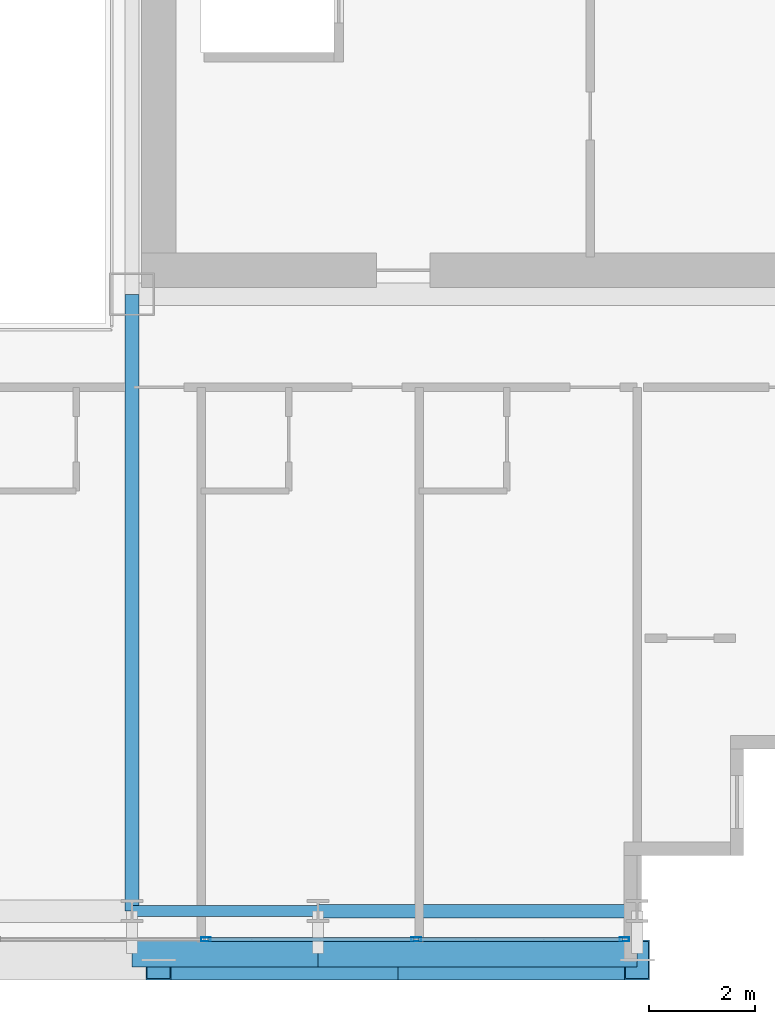
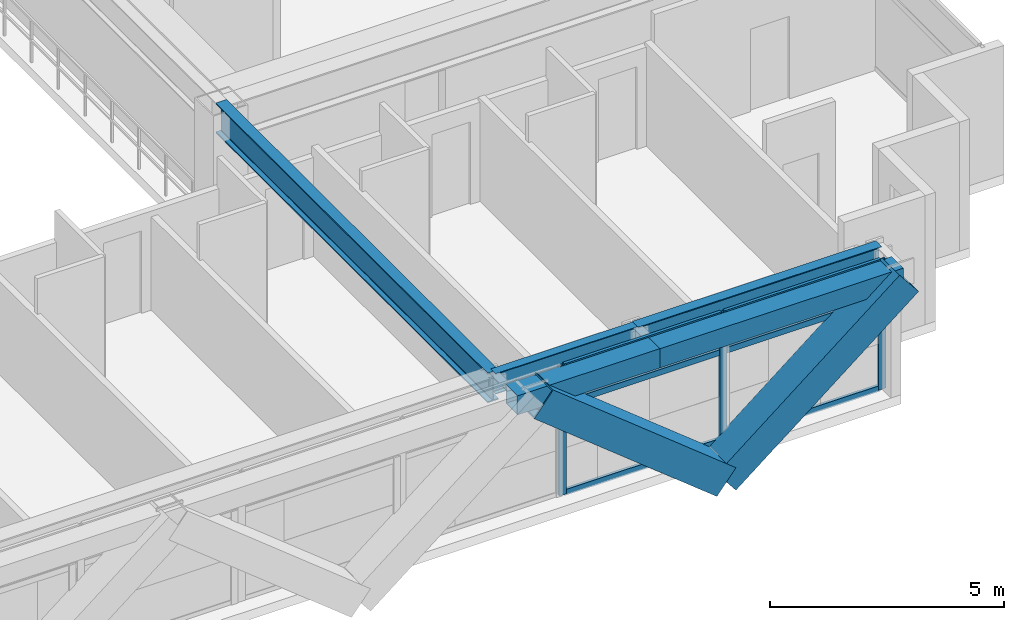
# One storey, part 10 of 36: 11 members, 5 beams, 1 element without a shape of its own.
"""IFC4 building model written with IfcOpenShell, lengths in metres."""

from ifc_helpers import new_model, si_unit, direction, frame, origin, origin_2d, place, context, subcontext, project, spatial, hollow_rectangle, i_section, extrude, source, transform, mapped, material, layer, layer_set, material_profile, profile_set, type_object, element, aggregate, save


model = new_model("IFC4")

# Units and contexts
model_context = context("Model", 3, precision=1e-05, world=origin(), true_north=direction((0.0, 1.0)))
body_context = subcontext(model_context, "Body", "Model", "MODEL_VIEW")
ifc_project = project(units=[si_unit("LENGTHUNIT", "METRE"), si_unit("AREAUNIT", "SQUARE_METRE"), si_unit("VOLUMEUNIT", "CUBIC_METRE"), si_unit("PLANEANGLEUNIT", "RADIAN"), si_unit("MASSUNIT", "GRAM", prefix="KILO")], contexts=[model_context])

# Site, building, storey
site_placement = place(None, origin())
site = spatial("IfcSite", under=ifc_project, at=site_placement, CompositionType="ELEMENT")
building_placement = place(site_placement, origin())
building = spatial("IfcBuilding", under=site, at=building_placement, Name="Ocotamira Hotel", CompositionType="ELEMENT")
storey_placement = place(building_placement, frame((0.0, 0.0, 136.800048828125)))
storey = spatial("IfcBuildingStorey", under=building, at=storey_placement, Name="L34", CompositionType="ELEMENT", Elevation=136.800048828125)

# Beams
ifc_material_1 = material(Name="Steel ASTM A992 Grade 50", Category="steel")
ifc_material_profile_1 = material_profile(ifc_material_1, i_section(OverallWidth=0.256103515625, OverallDepth=0.693115234375, WebThickness=0.014404296875, FlangeThickness=0.023681640625, FilletRadius=0.01611328125, at=origin_2d()), Name="W27X114")
ifc_profile_set_1 = profile_set([ifc_material_profile_1], Name="Steel ASTM A992 Grade 50")
beam_type_1 = type_object("IfcBeamType", Name="BM-PRIM-W27X114", PredefinedType="BEAM", material=ifc_profile_set_1)
shared_shape_1 = source(origin(), body_context, "Body", "SweptSolid", [
    extrude(i_section(OverallWidth=0.256103515625, OverallDepth=0.693115234375, WebThickness=0.014404296875, FlangeThickness=0.023681640625, FilletRadius=0.01611328125, at=origin_2d()), origin(), (0.0, 0.0, 1.0), 6.0),
])
beam_1_placement = place(storey_placement, frame((44.0, 2.949951171875, 3.013427734375), z_axis=(1.0, 0.0, 0.0), x_axis=(0.0, 1.0, 0.0)))
element("IfcBeam", 1, at=beam_1_placement, inside=storey, type_object=beam_type_1, Name="L34 Girder Y2.95 X44-50", PredefinedType="BEAM", context=body_context, shape_type="MappedRepresentation", body=[
    mapped(shared_shape_1, transform((0.0, 0.0, 0.0), scale=1.0)),
])
ifc_material_profile_2 = material_profile(ifc_material_1, i_section(OverallWidth=0.2099609375, OverallDepth=0.537109375, WebThickness=0.010986328125, FlangeThickness=0.017333984375, FilletRadius=0.012939453125, at=origin_2d()), Name="W21X68")
ifc_profile_set_2 = profile_set([ifc_material_profile_2], Name="Steel ASTM A992 Grade 50")
beam_type_2 = type_object("IfcBeamType", Name="BM-SEC-W21X68", PredefinedType="JOIST", material=ifc_profile_set_2)
shared_shape_2 = source(origin(), body_context, "Body", "SweptSolid", [
    extrude(i_section(OverallWidth=0.2099609375, OverallDepth=0.537109375, WebThickness=0.010986328125, FlangeThickness=0.017333984375, FilletRadius=0.012939453125, at=origin_2d()), origin(), (0.0, 0.0, 1.0), 3.5),
])
beam_2_placement = place(storey_placement, frame((40.5, 2.949951171875, 3.091552734375), z_axis=(1.0, 0.0, 0.0), x_axis=(0.0, 1.0, 0.0)))
element("IfcBeam", 2, at=beam_2_placement, inside=storey, type_object=beam_type_2, Name="L34 Girder Y2.95 X40.5-44", PredefinedType="JOIST", context=body_context, shape_type="MappedRepresentation", body=[
    mapped(shared_shape_2, transform((0.0, 0.0, 0.0), scale=1.0)),
])
ifc_material_profile_3 = material_profile(ifc_material_1, i_section(OverallWidth=0.26611328125, OverallDepth=0.779052734375, WebThickness=0.0166015625, FlangeThickness=0.030029296875, FilletRadius=0.01806640625, at=origin_2d()), Name="W30X148")
ifc_profile_set_3 = profile_set([ifc_material_profile_3], Name="Steel ASTM A992 Grade 50")
beam_type_3 = type_object("IfcBeamType", Name="BM-GIRD-W30X148", PredefinedType="BEAM", material=ifc_profile_set_3)
shared_shape_3 = source(origin(), body_context, "Body", "SweptSolid", [
    extrude(i_section(OverallWidth=0.26611328125, OverallDepth=0.779052734375, WebThickness=0.0166015625, FlangeThickness=0.030029296875, FilletRadius=0.01806640625, at=origin_2d()), origin(), (0.0, 0.0, 1.0), 11.60009765625),
])
beam_3_placement = place(storey_placement, frame((40.5, 2.949951171875, 2.970458984375), z_axis=(0.0, 1.0, 0.0), x_axis=(-1.0, 0.0, 0.0)))
element("IfcBeam", 3, at=beam_3_placement, inside=storey, type_object=beam_type_3, Name="L34 Beam X40.5 Y2.95-14.55", PredefinedType="BEAM", context=body_context, shape_type="MappedRepresentation", body=[
    mapped(shared_shape_3, transform((0.0, 0.0, 0.0), scale=1.0)),
])
ifc_material_2 = material(Name="Steel ASTM A500 Grade C", Category="steel")
ifc_material_profile_4 = material_profile(ifc_material_2, hollow_rectangle(XDim=0.5, YDim=0.5, WallThickness=0.02001953125, at=origin_2d()), Name="HSS500X500X20")
ifc_profile_set_4 = profile_set([ifc_material_profile_4], Name="Steel ASTM A500 Grade C")
beam_type_4 = type_object("IfcBeamType", Name="BM-SPAN-HSS500", PredefinedType="USERDEFINED", material=ifc_profile_set_4)
shared_shape_4 = source(origin(), body_context, "Body", "SweptSolid", [
    extrude(hollow_rectangle(XDim=0.5, YDim=0.5, WallThickness=0.02001953125, at=origin_2d()), origin(), (0.0, 0.0, 1.0), 6.0),
])
beam_4_placement = place(storey_placement, frame((44.0, 2.14990234375, 3.10986328125), z_axis=(1.0, 0.0, 0.0), x_axis=(0.0, 1.0, 0.0)))
element("IfcBeam", 4, at=beam_4_placement, inside=storey, type_object=beam_type_4, Name="L34 Edge Spandrel S X44-50", ObjectType="SPANDREL", PredefinedType="USERDEFINED", context=body_context, shape_type="MappedRepresentation", body=[
    mapped(shared_shape_4, transform((0.0, 0.0, 0.0), scale=1.0)),
])
shared_shape_5 = source(origin(), body_context, "Body", "SweptSolid", [
    extrude(hollow_rectangle(XDim=0.5, YDim=0.5, WallThickness=0.02001953125, at=origin_2d()), origin(), (0.0, 0.0, 1.0), 3.5),
])
beam_5_placement = place(storey_placement, frame((40.5, 2.14990234375, 3.10986328125), z_axis=(1.0, 0.0, 0.0), x_axis=(0.0, 1.0, 0.0)))
element("IfcBeam", 5, at=beam_5_placement, inside=storey, type_object=beam_type_4, Name="L34 Edge Spandrel S X40.5-44", ObjectType="SPANDREL", PredefinedType="USERDEFINED", context=body_context, shape_type="MappedRepresentation", body=[
    mapped(shared_shape_5, transform((0.0, 0.0, 0.0), scale=1.0)),
])

# Members
ifc_material_3 = material(Name="Pale-metal coated steel ASTM A913 Grade 65", Category="steel")
ifc_material_profile_5 = material_profile(ifc_material_3, hollow_rectangle(XDim=0.75, YDim=0.75, WallThickness=0.028076171875, at=origin_2d()), Name="BOX750X750X28")
ifc_profile_set_5 = profile_set([ifc_material_profile_5], Name="Pale-metal coated steel ASTM A913 Grade 65")
member_type_1 = type_object("IfcMemberType", Name="MEM-EXO-BOX750", PredefinedType="BRACE", material=ifc_profile_set_5)
shared_shape_6 = source(origin(), body_context, "Body", "SweptSolid", [
    extrude(hollow_rectangle(XDim=0.75, YDim=0.75, WallThickness=0.028076171875, at=origin_2d()), origin(), (0.0, 0.0, 1.0), 5.7626953125),
])
for number, where, z_axis, x_axis, name in (
    (6, (45.5, 2.030029296875, -0.489990234375), (-0.780881208953, 0.0, 0.624679547852), (0.0, -1.0, 0.0), "L34 Exoskeleton Diagrid S3.1"),
    (7, (45.5, 2.030029296875, -0.489990234375), (0.780881208953, 0.0, 0.624679547852), (0.0, 1.0, 0.0), "L34 Exoskeleton Diagrid S3.2"),
):
    element("IfcMember", number, at=place(storey_placement, frame(where, z_axis=z_axis, x_axis=x_axis)), inside=storey, type_object=member_type_1, Name=name, PredefinedType="BRACE", context=body_context, shape_type="MappedRepresentation", body=[
        mapped(shared_shape_6, transform((0.0, 0.0, 0.0), scale=1.0)),
    ])

# Curtain wall, members
ifc_material_4 = material(Name="Anodised pale-metal aluminium and solar glass", Category="aluminium")
ifc_layer = layer(ifc_material_4, 0.179931640625)
ifc_layer_set = layer_set([ifc_layer], Name="Anodised pale-metal aluminium and solar glass")
curtain_wall_type = type_object("IfcCurtainWallType", Name="CW-SYS3-Z2", PredefinedType="NOTDEFINED", material=ifc_layer_set)
curtain_wall_placement = place(storey_placement, origin())
curtain_wall = element("IfcCurtainWall", 8, at=curtain_wall_placement, inside=storey, type_object=curtain_wall_type, Name="L34 Curtain Wall CW-3 CW-L34-S1", PredefinedType="NOTDEFINED")
ifc_material_5 = material(Name="Anodised pale-metal aluminium 6063-T6", Category="aluminium")
ifc_material_profile_6 = material_profile(ifc_material_5, hollow_rectangle(XDim=0.074951171875, YDim=0.14990234375, WallThickness=0.006103515625, at=origin_2d()), Name="HSS150X75X6")
ifc_profile_set_6 = profile_set([ifc_material_profile_6], Name="Anodised pale-metal aluminium 6063-T6")
member_type_2 = type_object("IfcMemberType", Name="CWT-150X75", PredefinedType="USERDEFINED", material=ifc_profile_set_6)
shared_shape_7 = source(origin(), body_context, "Body", "SweptSolid", [
    extrude(hollow_rectangle(XDim=0.074951171875, YDim=0.14990234375, WallThickness=0.006103515625, at=origin_2d()), origin(), (0.0, 0.0, 1.0), 3.83544921875),
])
member_1_placement = place(storey_placement, frame((45.884521484375, 2.419921875, 0.037353515625), z_axis=(1.0, 0.0, 0.0), x_axis=(0.0, 1.0, 0.0)))
member_1 = element("IfcMember", 9, at=member_1_placement, type_object=member_type_2, Name="CW-3 transom 9.1", ObjectType="TRANSOM", PredefinedType="USERDEFINED", context=body_context, shape_type="MappedRepresentation", body=[
    mapped(shared_shape_7, transform((0.0, 0.0, 0.0), scale=1.0)),
])
member_2_placement = place(storey_placement, frame((45.884521484375, 2.419921875, 2.349853515625), z_axis=(1.0, 0.0, 0.0), x_axis=(0.0, 1.0, 0.0)))
member_2 = element("IfcMember", 10, at=member_2_placement, type_object=member_type_2, Name="CW-3 transom 9.2", ObjectType="TRANSOM", PredefinedType="USERDEFINED", context=body_context, shape_type="MappedRepresentation", body=[
    mapped(shared_shape_7, transform((0.0, 0.0, 0.0), scale=1.0)),
])
member_3_placement = place(storey_placement, frame((45.884521484375, 2.419921875, 3.322509765625), z_axis=(1.0, 0.0, 0.0), x_axis=(0.0, 1.0, 0.0)))
member_3 = element("IfcMember", 11, at=member_3_placement, type_object=member_type_2, Name="CW-3 transom 9.3", ObjectType="TRANSOM", PredefinedType="USERDEFINED", context=body_context, shape_type="MappedRepresentation", body=[
    mapped(shared_shape_7, transform((0.0, 0.0, 0.0), scale=1.0)),
])
shared_shape_8 = source(origin(), body_context, "Body", "SweptSolid", [
    extrude(hollow_rectangle(XDim=0.074951171875, YDim=0.14990234375, WallThickness=0.006103515625, at=origin_2d()), origin(), (0.0, 0.0, 1.0), 3.87548828125),
])
member_4_placement = place(storey_placement, frame((41.928955078125, 2.419921875, 0.037353515625), z_axis=(1.0, 0.0, 0.0), x_axis=(0.0, 1.0, 0.0)))
member_4 = element("IfcMember", 12, at=member_4_placement, type_object=member_type_2, Name="CW-3 transom 8.1", ObjectType="TRANSOM", PredefinedType="USERDEFINED", context=body_context, shape_type="MappedRepresentation", body=[
    mapped(shared_shape_8, transform((0.0, 0.0, 0.0), scale=1.0)),
])
member_5_placement = place(storey_placement, frame((41.928955078125, 2.419921875, 2.349853515625), z_axis=(1.0, 0.0, 0.0), x_axis=(0.0, 1.0, 0.0)))
member_5 = element("IfcMember", 13, at=member_5_placement, type_object=member_type_2, Name="CW-3 transom 8.2", ObjectType="TRANSOM", PredefinedType="USERDEFINED", context=body_context, shape_type="MappedRepresentation", body=[
    mapped(shared_shape_8, transform((0.0, 0.0, 0.0), scale=1.0)),
])
member_6_placement = place(storey_placement, frame((41.928955078125, 2.419921875, 3.322509765625), z_axis=(1.0, 0.0, 0.0), x_axis=(0.0, 1.0, 0.0)))
member_6 = element("IfcMember", 14, at=member_6_placement, type_object=member_type_2, Name="CW-3 transom 8.3", ObjectType="TRANSOM", PredefinedType="USERDEFINED", context=body_context, shape_type="MappedRepresentation", body=[
    mapped(shared_shape_8, transform((0.0, 0.0, 0.0), scale=1.0)),
])
ifc_material_profile_7 = material_profile(ifc_material_5, hollow_rectangle(XDim=0.080078125, YDim=0.179931640625, WallThickness=0.006103515625, at=origin_2d()), Name="HSS180X80X6")
ifc_profile_set_7 = profile_set([ifc_material_profile_7], Name="Anodised pale-metal aluminium 6063-T6")
member_type_3 = type_object("IfcMemberType", Name="CWM-180X75", PredefinedType="MULLION", material=ifc_profile_set_7)
shared_shape_9 = source(origin(), body_context, "Body", "SweptSolid", [
    extrude(hollow_rectangle(XDim=0.080078125, YDim=0.179931640625, WallThickness=0.006103515625, at=origin_2d()), origin(), (0.0, 0.0, 1.0), 3.35986328125),
])
member_7_placement = place(storey_placement, frame((41.888916015625, 2.419921875, 0.0), z_axis=(0.0, 0.0, 1.0), x_axis=(0.0, 1.0, 0.0)))
member_7 = element("IfcMember", 15, at=member_7_placement, type_object=member_type_3, Name="CW-3 mullion 8", PredefinedType="MULLION", context=body_context, shape_type="MappedRepresentation", body=[
    mapped(shared_shape_9, transform((0.0, 0.0, 0.0), scale=1.0)),
])
member_8_placement = place(storey_placement, frame((45.844482421875, 2.419921875, 0.0), z_axis=(0.0, 0.0, 1.0), x_axis=(0.0, 1.0, 0.0)))
member_8 = element("IfcMember", 16, at=member_8_placement, type_object=member_type_3, Name="CW-3 mullion 9", PredefinedType="MULLION", context=body_context, shape_type="MappedRepresentation", body=[
    mapped(shared_shape_9, transform((0.0, 0.0, 0.0), scale=1.0)),
])
member_9_placement = place(storey_placement, frame((49.760009765625, 2.419921875, 0.0), z_axis=(0.0, 0.0, 1.0), x_axis=(0.0, 1.0, 0.0)))
member_9 = element("IfcMember", 17, at=member_9_placement, type_object=member_type_3, Name="CW-3 mullion 10", PredefinedType="MULLION", context=body_context, shape_type="MappedRepresentation", body=[
    mapped(shared_shape_9, transform((0.0, 0.0, 0.0), scale=1.0)),
])
aggregate(curtain_wall, [member_7, member_8, member_9, member_4, member_5, member_6, member_1, member_2, member_3])

save(model, "model.ifc")
